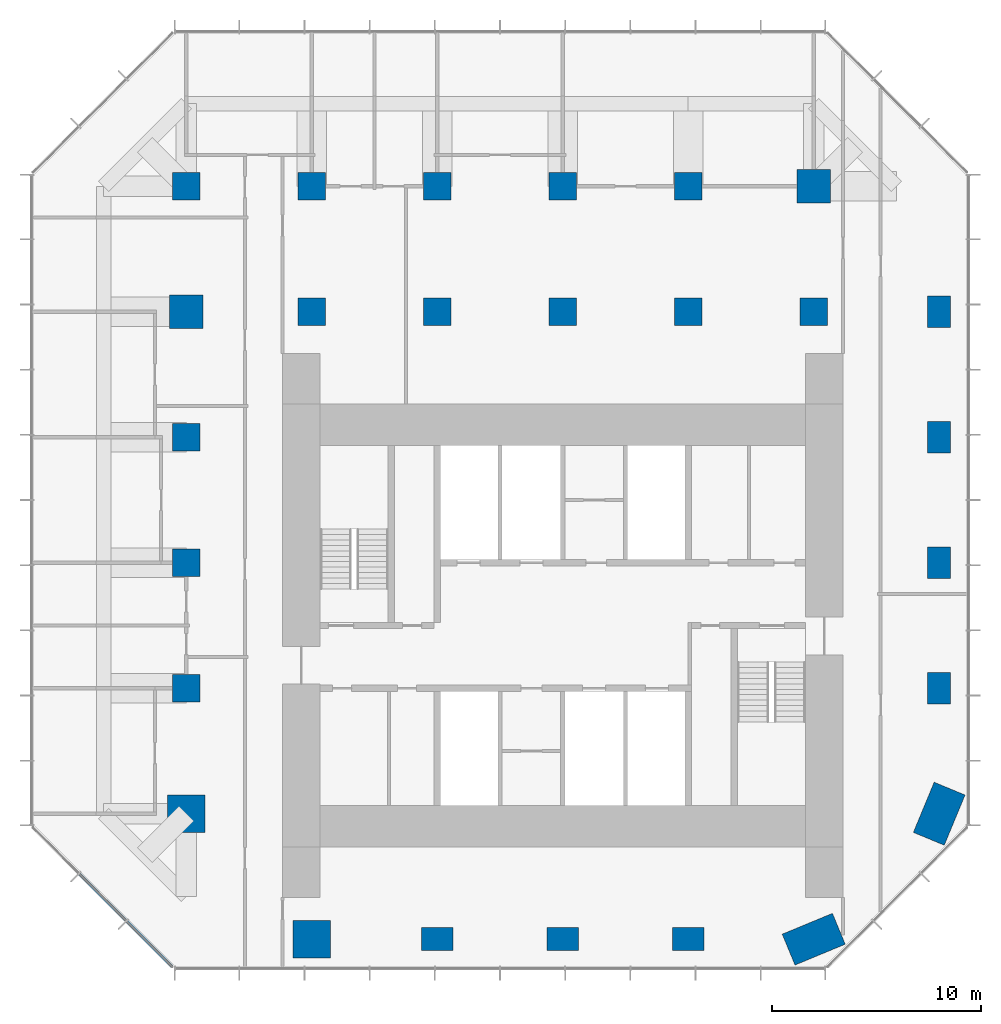
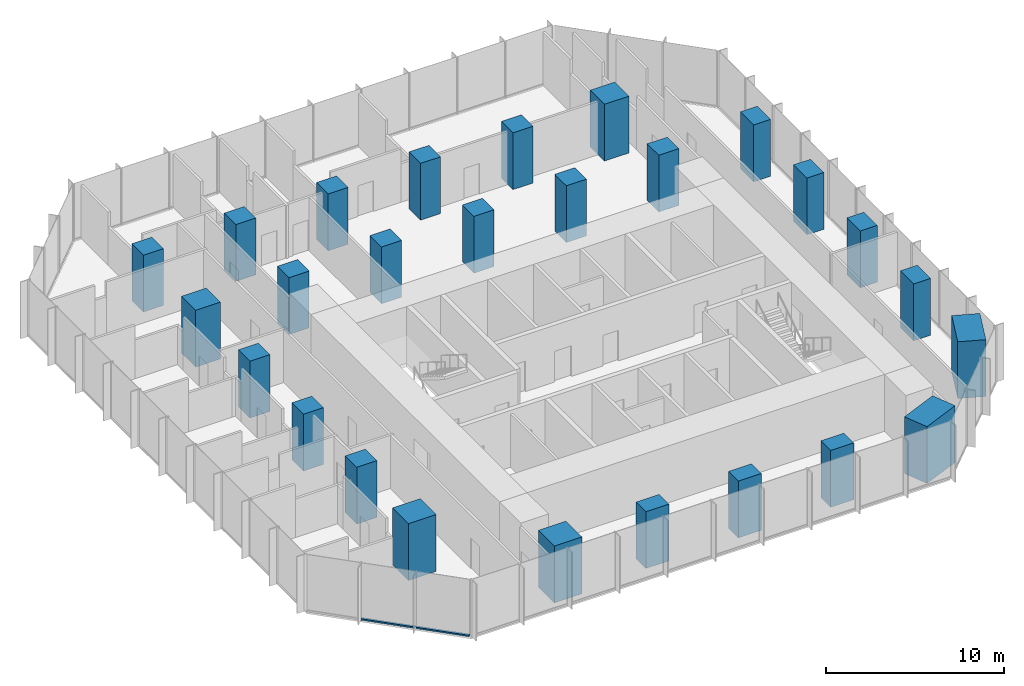
# One storey, part 1 of 11: 26 columns, 2 members, 1 element without a shape of its own.
"""IFC4 building model written with IfcOpenShell, lengths in metres."""

from ifc_helpers import new_model, si_unit, direction, frame, origin, origin_2d, place, context, subcontext, project, spatial, rectangle, extrude, material, layer, layer_set, material_profile, profile_set, type_object, element, aggregate, save


model = new_model("IFC4")

# Units and contexts
model_context = context("Model", 3, precision=1e-05, world=origin(), true_north=direction((0.0, 1.0)))
body_context = subcontext(model_context, "Body", "Model", "MODEL_VIEW")
ifc_project = project(units=[si_unit("LENGTHUNIT", "METRE"), si_unit("AREAUNIT", "SQUARE_METRE"), si_unit("VOLUMEUNIT", "CUBIC_METRE"), si_unit("PLANEANGLEUNIT", "RADIAN"), si_unit("MASSUNIT", "GRAM", prefix="KILO")], contexts=[model_context])

# Site, building, storey
site_placement = place(None, origin())
site = spatial("IfcSite", under=ifc_project, at=site_placement, CompositionType="ELEMENT")
building_placement = place(site_placement, origin())
building = spatial("IfcBuilding", under=site, at=building_placement, Name="Highveld Stack Headquarters", CompositionType="ELEMENT")
storey_placement = place(building_placement, frame((0.0, 0.0, 200.60009765625)))
storey = spatial("IfcBuildingStorey", under=building, at=storey_placement, Name="L49", CompositionType="ELEMENT", Elevation=200.60009765625)

# Columns
ifc_material_1 = material(Name="Concrete C60/75", Category="concrete")
ifc_material_profile_1 = material_profile(ifc_material_1, rectangle(XDim=1.300048828125, YDim=1.300048828125, at=origin_2d()), Name="RC 1300x1300")
ifc_profile_set_1 = profile_set([ifc_material_profile_1], Name="Concrete C60/75")
column_type_1 = type_object("IfcColumnType", Name="COLUMN RC 1300x1300 C60/75", PredefinedType="COLUMN", material=ifc_profile_set_1)
for number, where, z_axis, x_axis, name in (
    (1, (-12.0, 0.0, 0.0), (0.0, 0.0, 1.0), (1.0, 0.0, 0.0), "Column 4/E L49"),
    (2, (-12.0, 6.0, 0.0), (0.0, 0.0, 1.0), (1.0, 0.0, 0.0), "Column 4/F L49"),
    (3, (-12.0, 12.0, 0.0), (0.0, 0.0, 1.0), (1.0, 0.0, 0.0), "Column 4/G L49"),
    (4, (-12.0, 24.0, 0.0), (0.0, 0.0, 1.0), (1.0, 0.0, 0.0), "Column 4/J L49"),
    (5, (-6.0, 18.0, 0.0), (0.0, 0.0, 1.0), (1.0, 0.0, 0.0), "Column 5/H L49"),
    (6, (-6.0, 24.0, 0.0), (0.0, 0.0, 1.0), (1.0, 0.0, 0.0), "Column 5/J L49"),
    (7, (0.0, 18.0, 0.0), (0.0, 0.0, 1.0), (1.0, 0.0, 0.0), "Column 6/H L49"),
    (8, (0.0, 24.0, 0.0), (0.0, 0.0, 1.0), (1.0, 0.0, 0.0), "Column 6/J L49"),
    (9, (6.0, 18.0, 0.0), (0.0, 0.0, 1.0), (1.0, 0.0, 0.0), "Column 7/H L49"),
    (10, (6.0, 24.0, 0.0), (0.0, 0.0, 1.0), (1.0, 0.0, 0.0), "Column 7/J L49"),
    (11, (12.0, 18.0, 0.0), (0.0, 0.0, 1.0), (1.0, 0.0, 0.0), "Column 8/H L49"),
    (12, (12.0, 24.0, 0.0), (0.0, 0.0, 1.0), (1.0, 0.0, 0.0), "Column 8/J L49"),
    (13, (18.0, 18.0, 0.0), (0.0, 0.0, 1.0), (1.0, 0.0, 0.0), "Column 9/H L49"),
):
    element("IfcColumn", number, at=place(storey_placement, frame(where, z_axis=z_axis, x_axis=x_axis)), inside=storey, type_object=column_type_1, Name=name, PredefinedType="COLUMN", context=body_context, shape_type="SweptSolid", body=[
        extrude(rectangle(XDim=1.300048828125, YDim=1.300048828125, at=origin_2d()), origin(), (0.0, 0.0, 1.0), 3.89990234375),
    ])
ifc_material_2 = material(Name="Concrete C60/75", Category="concrete")
ifc_material_profile_2 = material_profile(ifc_material_2, rectangle(XDim=1.5, YDim=1.10009765625, at=origin_2d()), Name="RC 1500x1100")
ifc_profile_set_2 = profile_set([ifc_material_profile_2], Name="Concrete C60/75")
column_type_2 = type_object("IfcColumnType", Name="COLUMN RC 1500x1100 C60/75", PredefinedType="COLUMN", material=ifc_profile_set_2)
for number, where, z_axis, x_axis, name in (
    (14, (0.0, -12.0, 0.0), (0.0, 0.0, 1.0), (1.0, 0.0, 0.0), "Column 6/C L49"),
    (15, (6.0, -12.0, 0.0), (0.0, 0.0, 1.0), (1.0, 0.0, 0.0), "Column 7/C L49"),
    (16, (12.0, -12.0, 0.0), (0.0, 0.0, 1.0), (1.0, 0.0, 0.0), "Column 8/C L49"),
    (17, (24.0, 0.0, 0.0), (0.0, 0.0, 1.0), (0.0, 1.0, 0.0), "Column 10/E L49"),
    (18, (24.0, 6.0, 0.0), (0.0, 0.0, 1.0), (0.0, 1.0, 0.0), "Column 10/F L49"),
    (19, (24.0, 12.0, 0.0), (0.0, 0.0, 1.0), (0.0, 1.0, 0.0), "Column 10/G L49"),
    (20, (24.0, 18.0, 0.0), (0.0, 0.0, 1.0), (0.0, 1.0, 0.0), "Column 10/H L49"),
):
    element("IfcColumn", number, at=place(storey_placement, frame(where, z_axis=z_axis, x_axis=x_axis)), inside=storey, type_object=column_type_2, Name=name, PredefinedType="COLUMN", context=body_context, shape_type="SweptSolid", body=[
        extrude(rectangle(XDim=1.5, YDim=1.10009765625, at=origin_2d()), origin(), (0.0, 0.0, 1.0), 3.89990234375),
    ])
ifc_material_3 = material(Name="Concrete C60/75", Category="concrete")
ifc_material_profile_3 = material_profile(ifc_material_3, rectangle(XDim=1.60009765625, YDim=1.60009765625, at=origin_2d()), Name="RC 1600x1600")
ifc_profile_set_3 = profile_set([ifc_material_profile_3], Name="Concrete C60/75")
column_type_3 = type_object("IfcColumnType", Name="COLUMN RC 1600x1600 C60/75", PredefinedType="COLUMN", material=ifc_profile_set_3)
for number, where, z_axis, x_axis, name in (
    (21, (-12.0, 18.0, 0.0), (0.0, 0.0, 1.0), (1.0, 0.0, 0.0), "Column 4/H L49"),
    (22, (18.0, 24.0, 0.0), (0.0, 0.0, 1.0), (1.0, 0.0, 0.0), "Column 9/J L49"),
):
    element("IfcColumn", number, at=place(storey_placement, frame(where, z_axis=z_axis, x_axis=x_axis)), inside=storey, type_object=column_type_3, Name=name, PredefinedType="COLUMN", context=body_context, shape_type="SweptSolid", body=[
        extrude(rectangle(XDim=1.60009765625, YDim=1.60009765625, at=origin_2d()), origin(), (0.0, 0.0, 1.0), 3.89990234375),
    ])
ifc_material_4 = material(Name="Concrete C60/75", Category="concrete")
ifc_material_profile_4 = material_profile(ifc_material_4, rectangle(XDim=1.800048828125, YDim=1.800048828125, at=origin_2d()), Name="RC 1800x1800")
ifc_profile_set_4 = profile_set([ifc_material_profile_4], Name="Concrete C60/75")
column_type_4 = type_object("IfcColumnType", Name="COLUMN RC 1800x1800 C60/75", PredefinedType="COLUMN", material=ifc_profile_set_4)
for number, where, z_axis, x_axis, name in (
    (23, (-12.0, -6.0, 0.0), (0.0, 0.0, 1.0), (1.0, 0.0, 0.0), "Column 4/D L49"),
    (24, (-6.0, -12.0, 0.0), (0.0, 0.0, 1.0), (1.0, 0.0, 0.0), "Column 5/C L49"),
):
    element("IfcColumn", number, at=place(storey_placement, frame(where, z_axis=z_axis, x_axis=x_axis)), inside=storey, type_object=column_type_4, Name=name, PredefinedType="COLUMN", context=body_context, shape_type="SweptSolid", body=[
        extrude(rectangle(XDim=1.800048828125, YDim=1.800048828125, at=origin_2d()), origin(), (0.0, 0.0, 1.0), 3.89990234375),
    ])
ifc_material_5 = material(Name="Concrete C60/75", Category="concrete")
ifc_material_profile_5 = material_profile(ifc_material_5, rectangle(XDim=2.60009765625, YDim=1.60009765625, at=origin_2d()), Name="RC 2600x1600")
ifc_profile_set_5 = profile_set([ifc_material_profile_5], Name="Concrete C60/75")
column_type_5 = type_object("IfcColumnType", Name="COLUMN RC 2600x1600 C60/75", PredefinedType="COLUMN", material=ifc_profile_set_5)
for number, where, z_axis, x_axis, name in (
    (25, (18.0, -12.0, 0.0), (0.0, 0.0, 1.0), (-0.923879532511, -0.382683432365, 0.0), "Column 9/C L49"),
    (26, (24.0, -6.0, 0.0), (0.0, 0.0, 1.0), (-0.382683432365, -0.923879532511, 0.0), "Column 10/D L49"),
):
    element("IfcColumn", number, at=place(storey_placement, frame(where, z_axis=z_axis, x_axis=x_axis)), inside=storey, type_object=column_type_5, Name=name, PredefinedType="COLUMN", context=body_context, shape_type="SweptSolid", body=[
        extrude(rectangle(XDim=2.60009765625, YDim=1.60009765625, at=origin_2d()), origin(), (0.0, 0.0, 1.0), 3.89990234375),
    ])

# Curtain wall, members
ifc_material_6 = material(Name="Aluminium bronze anodised", Category="aluminium")
ifc_layer = layer(ifc_material_6, 0.199951171875)
ifc_layer_set = layer_set([ifc_layer], Name="Aluminium bronze anodised")
curtain_wall_type = type_object("IfcCurtainWallType", Name="CW2 TOWER CHAMFER UNITISED CURTAIN WALL", PredefinedType="NOTDEFINED", material=ifc_layer_set)
curtain_wall_placement = place(storey_placement, origin())
curtain_wall = element("IfcCurtainWall", 27, at=curtain_wall_placement, inside=storey, type_object=curtain_wall_type, Name="Curtain wall CW2 L49 SW", PredefinedType="NOTDEFINED")
ifc_material_7 = material(Name="Aluminium bronze anodised", Category="aluminium")
ifc_material_profile_6 = material_profile(ifc_material_7, rectangle(XDim=0.14990234375, YDim=0.10009765625, at=origin_2d()), Name="CW2 TRANSOM 150x100")
ifc_profile_set_6 = profile_set([ifc_material_profile_6], Name="Aluminium bronze anodised")
member_type = type_object("IfcMemberType", Name="CW2 STACK TRANSOM 150x100", PredefinedType="USERDEFINED", material=ifc_profile_set_6)
member_1_placement = place(storey_placement, frame((-17.103759765625, -8.876220703125, 0.0498046875), z_axis=(0.707106781187, -0.707106781187, 0.0), x_axis=(0.707106781187, 0.707106781187, 0.0)))
member_1 = element("IfcMember", 28, at=member_1_placement, type_object=member_type, Name="CW2 transom L49 2.1", ObjectType="TRANSOM", PredefinedType="USERDEFINED", context=body_context, shape_type="SweptSolid", body=[
    extrude(rectangle(XDim=0.14990234375, YDim=0.10009765625, at=origin_2d()), origin(), (0.0, 0.0, 1.0), 3.150146484375),
])
member_2_placement = place(storey_placement, frame((-14.830322265625, -11.149658203125, 0.0498046875), z_axis=(0.707106781187, -0.707106781187, 0.0), x_axis=(0.707106781187, 0.707106781187, 0.0)))
member_2 = element("IfcMember", 29, at=member_2_placement, type_object=member_type, Name="CW2 transom L49 3.1", ObjectType="TRANSOM", PredefinedType="USERDEFINED", context=body_context, shape_type="SweptSolid", body=[
    extrude(rectangle(XDim=0.14990234375, YDim=0.10009765625, at=origin_2d()), origin(), (0.0, 0.0, 1.0), 3.08251953125),
])
aggregate(curtain_wall, [member_1, member_2])

save(model, "model.ifc")
